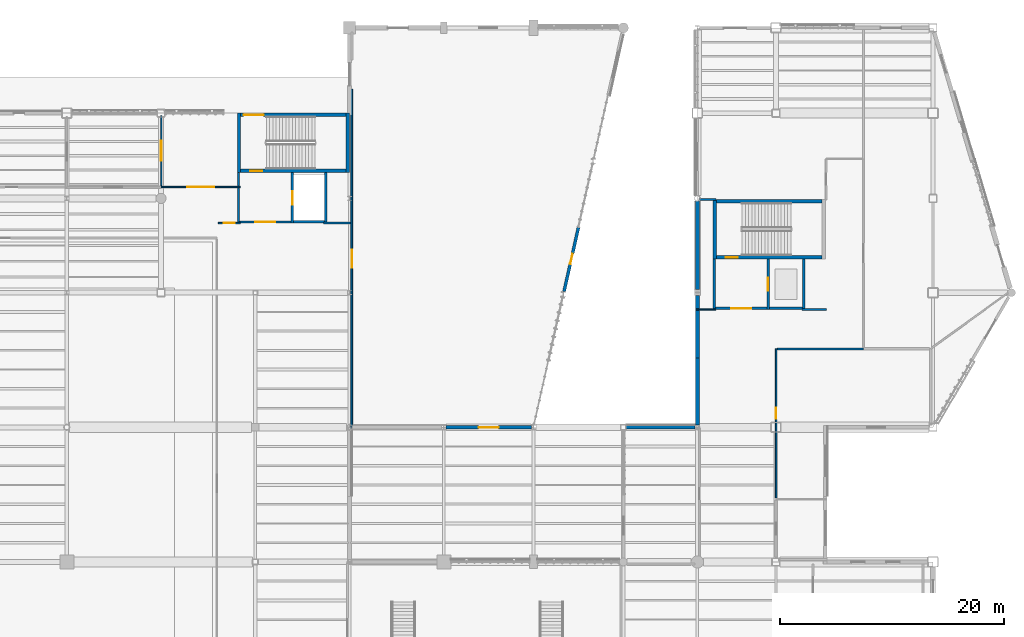
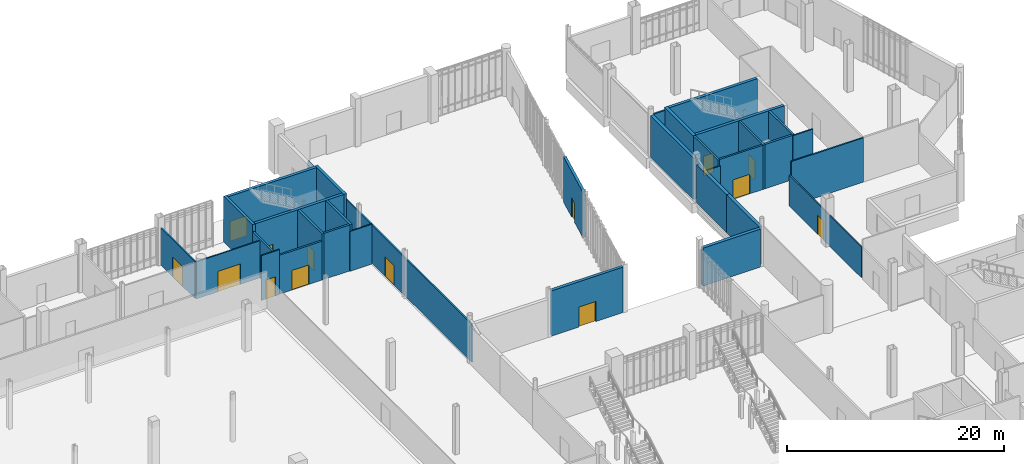
# One storey, part 90 of 111: 33 walls, 14 doors, 14 openings.
"""IFC4 building model written with IfcOpenShell, lengths in metres."""

from ifc_helpers import new_model, si_unit, direction, frame, frame_2d, origin, place, context, subcontext, project, spatial, rectangle, extrude, material, layer, layer_set, type_object, element, fill, save


model = new_model("IFC4")

# Units and contexts
model_context = context("Model", 3, precision=1e-05, world=origin(), true_north=direction((0.0, 1.0)))
body_context = subcontext(model_context, "Body", "Model", "MODEL_VIEW")
ifc_project = project(units=[si_unit("LENGTHUNIT", "METRE"), si_unit("AREAUNIT", "SQUARE_METRE"), si_unit("VOLUMEUNIT", "CUBIC_METRE"), si_unit("PLANEANGLEUNIT", "RADIAN"), si_unit("MASSUNIT", "GRAM", prefix="KILO")], contexts=[model_context])

# Site, building, storey
site_placement = place(None, origin())
site = spatial("IfcSite", under=ifc_project, at=site_placement, CompositionType="ELEMENT")
building_placement = place(site_placement, origin())
building = spatial("IfcBuilding", under=site, at=building_placement, Name="Larkvane Passage Sports Hall", CompositionType="ELEMENT")
storey_placement = place(building_placement, origin())
storey = spatial("IfcBuildingStorey", under=building, at=storey_placement, Name="L00", CompositionType="ELEMENT", Elevation=0.0)

# Walls
ifc_material_1 = material(Name="Concrete C50/60", Category="concrete")
ifc_layer_1 = layer(ifc_material_1, 0.360107421875)
ifc_layer_set_1 = layer_set([ifc_layer_1], Name="Concrete C50/60")
wall_type_1 = type_object("IfcWallType", Name="WL-CORE-360", PredefinedType="SHEAR", material=ifc_layer_set_1)
for number, where, z_axis, x_axis, name in (
    (1, (83.75, 86.300048828125, 0.0), (0.0, 0.0, 1.0), (0.0, 1.0, 0.0), "Core shear wall WAL-CORE-C3-L00-W"),
    (2, (93.449951171875, 91.60009765625, 0.0), (0.0, 0.0, 1.0), (0.0, -1.0, 0.0), "Core shear wall WAL-CORE-C3-L00-E"),
):
    element("IfcWall", number, at=place(storey_placement, frame(where, z_axis=z_axis, x_axis=x_axis)), inside=storey, type_object=wall_type_1, Name=name, PredefinedType="SHEAR", context=body_context, shape_type="SweptSolid", body=[
        extrude(rectangle(XDim=5.300048828125, YDim=0.300048828125, at=frame_2d((2.64990234375, 0.0))), origin(), (0.0, 0.0, 1.0), 5.169921875),
    ])

# Wall, opening, door
wall_1_placement = place(storey_placement, frame((93.300048828125, 86.449951171875, 0.0), z_axis=(0.0, 0.0, 1.0), x_axis=(-1.0, 0.0, 0.0)))
wall_1 = element("IfcWall", 3, at=wall_1_placement, inside=storey, type_object=wall_type_1, Name="Core shear wall WAL-CORE-C3-L00-S", PredefinedType="SHEAR", context=body_context, shape_type="SweptSolid", body=[
    extrude(rectangle(XDim=9.400146484375, YDim=0.300048828125, at=frame_2d((4.7001953125, 0.0))), origin(), (0.0, 0.0, 1.0), 5.169921875),
])
opening_1_placement = place(wall_1_placement, frame((7.5, 0.0, 0.0)))
opening_1 = element("IfcOpeningElement", 4, at=opening_1_placement, cuts=wall_1, Name="Opening DF-01", PredefinedType="OPENING", context=body_context, shape_type="SweptSolid", body=[
    extrude(rectangle(XDim=1.050048828125, YDim=2.199951171875, at=frame_2d((0.52490234375, 1.10009765625))), frame((0.0, 0.159912109375, 0.0), z_axis=(0.0, -1.0, 0.0), x_axis=(1.0, 0.0, 0.0)), (0.0, 0.0, 1.0), 0.320068359375),
])
ifc_material_2 = material(Name="Steel S355JR smoke-sealed fire door", Category="steel")
door_type_1 = type_object("IfcDoorType", Name="DR-FIRE-1050", OperationType="NOTDEFINED", PredefinedType="DOOR", material=ifc_material_2)
door_1_placement = place(opening_1_placement, origin())
door_1 = element("IfcDoor", 5, at=door_1_placement, inside=storey, type_object=door_type_1, Name="Stair ST-03 L00 fire door", OperationType="SINGLE_SWING_LEFT", OverallHeight=2.199951171875, OverallWidth=1.050048828125, PredefinedType="DOOR", context=body_context, shape_type="SweptSolid", body=[
    extrude(rectangle(XDim=1.050048828125, YDim=2.199951171875, at=frame_2d((0.52490234375, 1.10009765625))), frame((0.0, 0.02490234375, 0.0), z_axis=(0.0, -1.0, 0.0), x_axis=(1.0, 0.0, 0.0)), (0.0, 0.0, 1.0), 0.050048828125),
])
fill(opening_1, door_1)

# Wall
wall_2_placement = place(storey_placement, frame((126.14990234375, 78.60009765625, 0.0), z_axis=(0.0, 0.0, 1.0), x_axis=(0.0, 1.0, 0.0)))
element("IfcWall", 6, at=wall_2_placement, inside=storey, type_object=wall_type_1, Name="Core shear wall WAL-CORE-C6-L00-W", PredefinedType="SHEAR", context=body_context, shape_type="SweptSolid", body=[
    extrude(rectangle(XDim=5.2998046875, YDim=0.300048828125, at=frame_2d((2.64990234375, 0.0))), origin(), (0.0, 0.0, 1.0), 4.97998046875),
])

# Wall, opening, door
wall_3_placement = place(storey_placement, frame((135.699951171875, 78.75, 0.0), z_axis=(0.0, 0.0, 1.0), x_axis=(-1.0, 0.0, 0.0)))
wall_3 = element("IfcWall", 7, at=wall_3_placement, inside=storey, type_object=wall_type_1, Name="Core shear wall WAL-CORE-C6-L00-S", PredefinedType="SHEAR", context=body_context, shape_type="SweptSolid", body=[
    extrude(rectangle(XDim=9.39990234375, YDim=0.300048828125, at=frame_2d((4.699951171875, 0.0))), origin(), (0.0, 0.0, 1.0), 4.97998046875),
])
opening_2_placement = place(wall_3_placement, frame((7.5, 0.0, 0.0)))
opening_2 = element("IfcOpeningElement", 8, at=opening_2_placement, cuts=wall_3, Name="Opening DF-01", PredefinedType="OPENING", context=body_context, shape_type="SweptSolid", body=[
    extrude(rectangle(XDim=1.050048828125, YDim=2.199951171875, at=frame_2d((0.52490234375, 1.10009765625))), frame((0.0, 0.159912109375, 0.0), z_axis=(0.0, -1.0, 0.0), x_axis=(1.0, 0.0, 0.0)), (0.0, 0.0, 1.0), 0.320068359375),
])
door_2_placement = place(opening_2_placement, origin())
door_2 = element("IfcDoor", 9, at=door_2_placement, inside=storey, type_object=door_type_1, Name="Stair ST-06 L00 fire door", OperationType="SINGLE_SWING_LEFT", OverallHeight=2.199951171875, OverallWidth=1.050048828125, PredefinedType="DOOR", context=body_context, shape_type="SweptSolid", body=[
    extrude(rectangle(XDim=1.050048828125, YDim=2.199951171875, at=frame_2d((0.52490234375, 1.10009765625))), frame((0.0, 0.02490234375, 0.0), z_axis=(0.0, -1.0, 0.0), x_axis=(1.0, 0.0, 0.0)), (0.0, 0.0, 1.0), 0.050048828125),
])
fill(opening_2, door_2)

# Wall
wall_4_placement = place(storey_placement, frame((126.300048828125, 83.75, 0.0), z_axis=(0.0, 0.0, 1.0), x_axis=(1.0, 0.0, 0.0)))
element("IfcWall", 10, at=wall_4_placement, inside=storey, type_object=wall_type_1, Name="Core shear wall WAL-CORE-C6-L00-N", PredefinedType="SHEAR", context=body_context, shape_type="SweptSolid", body=[
    extrude(rectangle(XDim=9.39990234375, YDim=0.300048828125, at=frame_2d((4.699951171875, 0.0))), origin(), (0.0, 0.0, 1.0), 4.97998046875),
])

# Wall, opening, door
ifc_layer_2 = layer(ifc_material_1, 0.360107421875)
ifc_layer_set_2 = layer_set([ifc_layer_2], Name="Concrete C50/60")
wall_type_2 = type_object("IfcWallType", Name="WL-CORE-EXT-360", PredefinedType="SHEAR", material=ifc_layer_set_2)
wall_5_placement = place(storey_placement, frame((83.89990234375, 91.449951171875, 0.0), z_axis=(0.0, 0.0, 1.0), x_axis=(1.0, 0.0, 0.0)))
wall_5 = element("IfcWall", 11, at=wall_5_placement, inside=storey, type_object=wall_type_2, Name="Core shear wall WAL-CORE-C3-L00-N", PredefinedType="SHEAR", context=body_context, shape_type="SweptSolid", body=[
    extrude(rectangle(XDim=9.400146484375, YDim=0.300048828125, at=frame_2d((4.7001953125, 0.0))), origin(), (0.0, 0.0, 1.0), 5.169921875),
])
opening_3_placement = place(wall_5_placement, frame((0.25, 0.0, 0.0)))
opening_3 = element("IfcOpeningElement", 12, at=opening_3_placement, cuts=wall_5, Name="Opening DE-03", PredefinedType="OPENING", context=body_context, shape_type="SweptSolid", body=[
    extrude(rectangle(XDim=1.800048828125, YDim=2.25, at=frame_2d((0.89990234375, 1.125))), frame((0.0, 0.159912109375, 0.0), z_axis=(0.0, -1.0, 0.0), x_axis=(1.0, 0.0, 0.0)), (0.0, 0.0, 1.0), 0.320068359375),
])
ifc_material_3 = material(Name="Galvanised steel S355JR fire exit leaf", Category="steel")
door_type_2 = type_object("IfcDoorType", Name="DR-EXIT-1800", OperationType="DOUBLE_DOOR_SINGLE_SWING", PredefinedType="DOOR", material=ifc_material_3)
door_3_placement = place(opening_3_placement, origin())
door_3 = element("IfcDoor", 13, at=door_3_placement, inside=storey, type_object=door_type_2, Name="Stair ST-03 L00 direct final exit door", OperationType="DOUBLE_DOOR_SINGLE_SWING", OverallHeight=2.25, OverallWidth=1.800048828125, PredefinedType="DOOR", context=body_context, shape_type="SweptSolid", body=[
    extrude(rectangle(XDim=1.800048828125, YDim=2.25, at=frame_2d((0.89990234375, 1.125))), frame((0.0, 0.02490234375, 0.0), z_axis=(0.0, -1.0, 0.0), x_axis=(1.0, 0.0, 0.0)), (0.0, 0.0, 1.0), 0.050048828125),
])
fill(opening_3, door_3)

ifc_material_4 = material(Name="Concrete C40/50", Category="concrete")
ifc_layer_3 = layer(ifc_material_4, 0.27490234375)
ifc_layer_set_3 = layer_set([ifc_layer_3], Name="Concrete C40/50")
wall_type_3 = type_object("IfcWallType", Name="WL-EXT-275", PredefinedType="SOLIDWALL", material=ifc_layer_set_3)
wall_6_placement = place(storey_placement, frame((114.02880859375, 81.52880859375, 0.0), z_axis=(0.0, 0.0, 1.0), x_axis=(-0.219236031384, -0.975671851876, 0.0)))
wall_6 = element("IfcWall", 14, at=wall_6_placement, inside=storey, type_object=wall_type_3, Name="Exterior wall WAL-EXT-L00-025", PredefinedType="SOLIDWALL", context=body_context, shape_type="SweptSolid", body=[
    extrude(rectangle(XDim=5.974365234375, YDim=0.27490234375, at=frame_2d((2.9873046875, 0.0))), origin(), (0.0, 0.0, 1.0), 5.10009765625),
])
opening_4_placement = place(wall_6_placement, frame((2.511962890625, 0.0, 0.0)))
opening_4 = element("IfcOpeningElement", 15, at=opening_4_placement, cuts=wall_6, Name="Opening DE-08", PredefinedType="OPENING", context=body_context, shape_type="SweptSolid", body=[
    extrude(rectangle(XDim=0.949951171875, YDim=2.14990234375, at=frame_2d((0.47509765625, 1.074951171875))), frame((0.0, 0.1474609375, 0.0), z_axis=(0.0, -1.0, 0.0), x_axis=(1.0, 0.0, 0.0)), (0.0, 0.0, 1.0), 0.294921875),
])
door_type_3 = type_object("IfcDoorType", Name="DR-FIRE-950", OperationType="NOTDEFINED", PredefinedType="DOOR", material=ifc_material_3)
door_4_placement = place(opening_4_placement, origin())
door_4 = element("IfcDoor", 16, at=door_4_placement, inside=storey, type_object=door_type_3, Name="Exterior door L00-014", OperationType="SINGLE_SWING_LEFT", OverallHeight=2.14990234375, OverallWidth=0.949951171875, PredefinedType="DOOR", context=body_context, shape_type="SweptSolid", body=[
    extrude(rectangle(XDim=0.949951171875, YDim=2.14990234375, at=frame_2d((0.47509765625, 1.074951171875))), frame((0.0, 0.02490234375, 0.0), z_axis=(0.0, -1.0, 0.0), x_axis=(1.0, 0.0, 0.0)), (0.0, 0.0, 1.0), 0.050048828125),
])
fill(opening_4, door_4)

ifc_material_5 = material(Name="Precast concrete C45/55", Category="concrete")
ifc_layer_4 = layer(ifc_material_5, 0.31005859375)
ifc_layer_set_4 = layer_set([ifc_layer_4], Name="Precast concrete C45/55")
wall_type_4 = type_object("IfcWallType", Name="WL-EXT-310", PredefinedType="SOLIDWALL", material=ifc_layer_set_4)
wall_7_placement = place(storey_placement, frame((109.79541015625, 63.60009765625, 0.0), z_axis=(0.0, 0.0, 1.0), x_axis=(-1.0, 0.0, 0.0)))
wall_7 = element("IfcWall", 17, at=wall_7_placement, inside=storey, type_object=wall_type_4, Name="Exterior wall WAL-EXT-L00-026", PredefinedType="SOLIDWALL", context=body_context, shape_type="SweptSolid", body=[
    extrude(rectangle(XDim=7.596923828125, YDim=0.31005859375, at=frame_2d((3.79833984375, 0.0))), origin(), (0.0, 0.0, 1.0), 5.10009765625),
])
opening_5_placement = place(wall_7_placement, frame((2.89892578125, 0.0, 0.0)))
opening_5 = element("IfcOpeningElement", 18, at=opening_5_placement, cuts=wall_7, Name="Opening DE-03", PredefinedType="OPENING", context=body_context, shape_type="SweptSolid", body=[
    extrude(rectangle(XDim=1.800048828125, YDim=2.25, at=frame_2d((0.89990234375, 1.125))), frame((0.0, 0.1650390625, 0.0), z_axis=(0.0, -1.0, 0.0), x_axis=(1.0, 0.0, 0.0)), (0.0, 0.0, 1.0), 0.330078125),
])
door_5_placement = place(opening_5_placement, origin())
door_5 = element("IfcDoor", 19, at=door_5_placement, inside=storey, type_object=door_type_2, Name="Exterior door L00-015", OperationType="DOUBLE_DOOR_SINGLE_SWING", OverallHeight=2.25, OverallWidth=1.800048828125, PredefinedType="DOOR", context=body_context, shape_type="SweptSolid", body=[
    extrude(rectangle(XDim=1.800048828125, YDim=2.25, at=frame_2d((0.89990234375, 1.125))), frame((0.0, 0.02490234375, 0.0), z_axis=(0.0, -1.0, 0.0), x_axis=(1.0, 0.0, 0.0)), (0.0, 0.0, 1.0), 0.050048828125),
])
fill(opening_5, door_5)

# Walls
ifc_layer_5 = layer(ifc_material_5, 0.344970703125)
ifc_layer_set_5 = layer_set([ifc_layer_5], Name="Precast concrete C45/55")
wall_type_5 = type_object("IfcWallType", Name="WL-EXT-345", PredefinedType="SOLIDWALL", material=ifc_layer_set_5)
wall_8_placement = place(storey_placement, frame((118.24609375, 63.60009765625, 0.0), z_axis=(0.0, 0.0, 1.0), x_axis=(1.0, 0.0, 0.0)))
element("IfcWall", 20, at=wall_8_placement, inside=storey, type_object=wall_type_5, Name="Exterior wall WAL-EXT-L00-032", PredefinedType="SOLIDWALL", context=body_context, shape_type="SweptSolid", body=[
    extrude(rectangle(XDim=6.15478515625, YDim=0.344970703125, at=frame_2d((3.077392578125, 0.0))), origin(), (0.0, 0.0, 1.0), 4.26806640625),
])
wall_9_placement = place(storey_placement, frame((124.60009765625, 63.79931640625, 0.0), z_axis=(0.0, 0.0, 1.0), x_axis=(0.0, 1.0, 0.0)))
element("IfcWall", 21, at=wall_9_placement, inside=storey, type_object=wall_type_5, Name="Exterior wall WAL-EXT-L00-033", PredefinedType="SOLIDWALL", context=body_context, shape_type="SweptSolid", body=[
    extrude(rectangle(XDim=5.96630859375, YDim=0.344970703125, at=frame_2d((2.983154296875, 0.0))), origin(), (0.0, 0.0, 1.0), 4.27587890625),
])
wall_10_placement = place(storey_placement, frame((124.60009765625, 69.434326171875, 0.0), z_axis=(0.0, 0.0, 1.0), x_axis=(0.0, 1.0, 0.0)))
element("IfcWall", 22, at=wall_10_placement, inside=storey, type_object=wall_type_5, Name="Exterior wall WAL-EXT-L00-034", PredefinedType="SOLIDWALL", context=body_context, shape_type="SweptSolid", body=[
    extrude(rectangle(XDim=5.894775390625, YDim=0.344970703125, at=frame_2d((2.947265625, 0.0))), origin(), (0.0, 0.0, 1.0), 4.27587890625),
])
wall_11_placement = place(storey_placement, frame((124.60009765625, 75.87109375, 0.0), z_axis=(0.0, 0.0, 1.0), x_axis=(0.0, 1.0, 0.0)))
element("IfcWall", 23, at=wall_11_placement, inside=storey, type_object=wall_type_5, Name="Exterior wall WAL-EXT-L00-035", PredefinedType="SOLIDWALL", context=body_context, shape_type="SweptSolid", body=[
    extrude(rectangle(XDim=7.87890625, YDim=0.344970703125, at=frame_2d((3.939453125, 0.0))), origin(), (0.0, 0.0, 1.0), 4.674072265625),
])

# Wall, opening, door
ifc_layer_6 = layer(ifc_material_4, 0.199951171875)
ifc_layer_set_6 = layer_set([ifc_layer_6], Name="Concrete C40/50")
wall_type_6 = type_object("IfcWallType", Name="WL-LOBBY-200", PredefinedType="SOLIDWALL", material=ifc_layer_set_6)
wall_12_placement = place(storey_placement, frame((83.800048828125, 81.89990234375, 0.0), z_axis=(0.0, 0.0, 1.0), x_axis=(1.0, 0.0, 0.0)))
wall_12 = element("IfcWall", 24, at=wall_12_placement, inside=storey, type_object=wall_type_6, Name="Protected stair lobby wall C3 L00", PredefinedType="SOLIDWALL", context=body_context, shape_type="SweptSolid", body=[
    extrude(rectangle(XDim=4.599853515625, YDim=0.199951171875, at=frame_2d((2.2998046875, 0.0))), origin(), (0.0, 0.0, 1.0), 4.3701171875),
])
opening_6_placement = place(wall_12_placement, frame((1.39990234375, 0.0, 0.0)))
opening_6 = element("IfcOpeningElement", 25, at=opening_6_placement, cuts=wall_12, Name="Opening DF-02", PredefinedType="OPENING", context=body_context, shape_type="SweptSolid", body=[
    extrude(rectangle(XDim=1.800048828125, YDim=2.199951171875, at=frame_2d((0.89990234375, 1.10009765625))), frame((0.0, 0.10986328125, 0.0), z_axis=(0.0, -1.0, 0.0), x_axis=(1.0, 0.0, 0.0)), (0.0, 0.0, 1.0), 0.219970703125),
])
ifc_material_6 = material(Name="Steel S355JR double smoke-sealed fire door", Category="steel")
door_type_4 = type_object("IfcDoorType", Name="DR-FIRE-1800", OperationType="DOUBLE_DOOR_SINGLE_SWING", PredefinedType="DOOR", material=ifc_material_6)
door_6_placement = place(opening_6_placement, origin())
door_6 = element("IfcDoor", 26, at=door_6_placement, inside=storey, type_object=door_type_4, Name="Lobby smoke door C3 L00", OperationType="DOUBLE_DOOR_SINGLE_SWING", OverallHeight=2.199951171875, OverallWidth=1.800048828125, PredefinedType="DOOR", context=body_context, shape_type="SweptSolid", body=[
    extrude(rectangle(XDim=1.800048828125, YDim=2.199951171875, at=frame_2d((0.89990234375, 1.10009765625))), frame((0.0, 0.02490234375, 0.0), z_axis=(0.0, -1.0, 0.0), x_axis=(1.0, 0.0, 0.0)), (0.0, 0.0, 1.0), 0.050048828125),
])
fill(opening_6, door_6)

# Wall
wall_13_placement = place(storey_placement, frame((83.699951171875, 81.800048828125, 0.0), z_axis=(0.0, 0.0, 1.0), x_axis=(0.0, 1.0, 0.0)))
element("IfcWall", 27, at=wall_13_placement, inside=storey, type_object=wall_type_6, Name="Lobby side wall C3 L00", PredefinedType="SOLIDWALL", context=body_context, shape_type="SweptSolid", body=[
    extrude(rectangle(XDim=4.5, YDim=0.199951171875, at=frame_2d((2.25, 0.0))), origin(), (0.0, 0.0, 1.0), 4.3701171875),
])

# Wall, opening, door
wall_14_placement = place(storey_placement, frame((126.199951171875, 74.199951171875, 0.0), z_axis=(0.0, 0.0, 1.0), x_axis=(1.0, 0.0, 0.0)))
wall_14 = element("IfcWall", 28, at=wall_14_placement, inside=storey, type_object=wall_type_6, Name="Protected stair lobby wall C6 L00", PredefinedType="SOLIDWALL", context=body_context, shape_type="SweptSolid", body=[
    extrude(rectangle(XDim=4.60009765625, YDim=0.199951171875, at=frame_2d((2.300048828125, 0.0))), origin(), (0.0, 0.0, 1.0), 4.97998046875),
])
opening_7_placement = place(wall_14_placement, frame((1.39990234375, 0.0, 0.0)))
opening_7 = element("IfcOpeningElement", 29, at=opening_7_placement, cuts=wall_14, Name="Opening DF-02", PredefinedType="OPENING", context=body_context, shape_type="SweptSolid", body=[
    extrude(rectangle(XDim=1.800048828125, YDim=2.199951171875, at=frame_2d((0.89990234375, 1.10009765625))), frame((0.0, 0.10986328125, 0.0), z_axis=(0.0, -1.0, 0.0), x_axis=(1.0, 0.0, 0.0)), (0.0, 0.0, 1.0), 0.219970703125),
])
door_7_placement = place(opening_7_placement, origin())
door_7 = element("IfcDoor", 30, at=door_7_placement, inside=storey, type_object=door_type_4, Name="Lobby smoke door C6 L00", OperationType="DOUBLE_DOOR_SINGLE_SWING", OverallHeight=2.199951171875, OverallWidth=1.800048828125, PredefinedType="DOOR", context=body_context, shape_type="SweptSolid", body=[
    extrude(rectangle(XDim=1.800048828125, YDim=2.199951171875, at=frame_2d((0.89990234375, 1.10009765625))), frame((0.0, 0.02490234375, 0.0), z_axis=(0.0, -1.0, 0.0), x_axis=(1.0, 0.0, 0.0)), (0.0, 0.0, 1.0), 0.050048828125),
])
fill(opening_7, door_7)

# Wall
wall_15_placement = place(storey_placement, frame((126.10009765625, 74.10009765625, 0.0), z_axis=(0.0, 0.0, 1.0), x_axis=(0.0, 1.0, 0.0)))
element("IfcWall", 31, at=wall_15_placement, inside=storey, type_object=wall_type_6, Name="Lobby side wall C6 L00", PredefinedType="SOLIDWALL", context=body_context, shape_type="SweptSolid", body=[
    extrude(rectangle(XDim=4.5, YDim=0.199951171875, at=frame_2d((2.25, 0.0))), origin(), (0.0, 0.0, 1.0), 4.97998046875),
])

# Wall, opening, door
ifc_material_7 = material(Name="Gypsum twin-stud fire-rated partition")
ifc_layer_7 = layer(ifc_material_7, 0.125)
ifc_layer_set_7 = layer_set([ifc_layer_7], Name="Gypsum twin-stud fire-rated partition")
wall_type_7 = type_object("IfcWallType", Name="WL-PART-125", PredefinedType="PARTITIONING", material=ifc_layer_set_7)
wall_16_placement = place(storey_placement, frame((83.860107421875, 85.02001953125, 0.0), z_axis=(0.0, 0.0, 1.0), x_axis=(-1.0, 0.0, 0.0)))
wall_16 = element("IfcWall", 32, at=wall_16_placement, inside=storey, type_object=wall_type_7, Name="Interior partition WAL-PART-L00-0060", PredefinedType="PARTITIONING", context=body_context, shape_type="SweptSolid", body=[
    extrude(rectangle(XDim=7.0400390625, YDim=0.125, at=frame_2d((3.52001953125, 0.0))), origin(), (0.0, 0.0, 1.0), 4.169921875),
])
opening_8_placement = place(wall_16_placement, frame((2.320068359375, 0.0, 0.0)))
opening_8 = element("IfcOpeningElement", 33, at=opening_8_placement, cuts=wall_16, Name="Opening FD-01", PredefinedType="OPENING", context=body_context, shape_type="SweptSolid", body=[
    extrude(rectangle(XDim=2.39990234375, YDim=2.300048828125, at=frame_2d((1.199951171875, 1.14990234375))), frame((0.0, 0.072509765625, 0.0), z_axis=(0.0, -1.0, 0.0), x_axis=(1.0, 0.0, 0.0)), (0.0, 0.0, 1.0), 0.14501953125),
])
ifc_material_8 = material(Name="Bi-fold steel S355JR equipment store door", Category="steel")
door_type_5 = type_object("IfcDoorType", Name="DR-FOLD-2400", OperationType="FOLDING_TO_LEFT", PredefinedType="DOOR", material=ifc_material_8)
door_8_placement = place(opening_8_placement, origin())
door_8 = element("IfcDoor", 34, at=door_8_placement, inside=storey, type_object=door_type_5, Name="Interior door L00-0032", OperationType="FOLDING_TO_LEFT", OverallHeight=2.300048828125, OverallWidth=2.39990234375, PredefinedType="DOOR", context=body_context, shape_type="SweptSolid", body=[
    extrude(rectangle(XDim=2.39990234375, YDim=2.300048828125, at=frame_2d((1.199951171875, 1.14990234375))), frame((0.0, 0.02490234375, 0.0), z_axis=(0.0, -1.0, 0.0), x_axis=(1.0, 0.0, 0.0)), (0.0, 0.0, 1.0), 0.050048828125),
])
fill(opening_8, door_8)

wall_17_placement = place(storey_placement, frame((76.820068359375, 85.139892578125, 0.0), z_axis=(0.0, 0.0, 1.0), x_axis=(0.0, 1.0, 0.0)))
wall_17 = element("IfcWall", 35, at=wall_17_placement, inside=storey, type_object=wall_type_7, Name="Interior partition WAL-PART-L00-0061", PredefinedType="PARTITIONING", context=body_context, shape_type="SweptSolid", body=[
    extrude(rectangle(XDim=6.22802734375, YDim=0.125, at=frame_2d((3.114013671875, 0.0))), origin(), (0.0, 0.0, 1.0), 4.169921875),
])
opening_9_placement = place(wall_17_placement, frame((2.214111328125, 0.0, 0.0)))
opening_9 = element("IfcOpeningElement", 36, at=opening_9_placement, cuts=wall_17, Name="Opening DF-02", PredefinedType="OPENING", context=body_context, shape_type="SweptSolid", body=[
    extrude(rectangle(XDim=1.800048828125, YDim=2.199951171875, at=frame_2d((0.89990234375, 1.10009765625))), frame((0.0, 0.072509765625, 0.0), z_axis=(0.0, -1.0, 0.0), x_axis=(1.0, 0.0, 0.0)), (0.0, 0.0, 1.0), 0.14501953125),
])
door_9_placement = place(opening_9_placement, origin())
door_9 = element("IfcDoor", 37, at=door_9_placement, inside=storey, type_object=door_type_4, Name="Interior door L00-0040", OperationType="DOUBLE_DOOR_SINGLE_SWING", OverallHeight=2.199951171875, OverallWidth=1.800048828125, PredefinedType="DOOR", context=body_context, shape_type="SweptSolid", body=[
    extrude(rectangle(XDim=1.800048828125, YDim=2.199951171875, at=frame_2d((0.89990234375, 1.10009765625))), frame((0.0, 0.02490234375, 0.0), z_axis=(0.0, -1.0, 0.0), x_axis=(1.0, 0.0, 0.0)), (0.0, 0.0, 1.0), 0.050048828125),
])
fill(opening_9, door_9)

wall_18_placement = place(storey_placement, frame((131.6201171875, 57.320068359375, 0.0), z_axis=(0.0, 0.0, 1.0), x_axis=(0.0, 1.0, 0.0)))
wall_18 = element("IfcWall", 38, at=wall_18_placement, inside=storey, type_object=wall_type_7, Name="Interior partition WAL-PART-L00-0081", PredefinedType="PARTITIONING", context=body_context, shape_type="SweptSolid", body=[
    extrude(rectangle(XDim=13.260009765625, YDim=0.125, at=frame_2d((6.6298828125, 0.0))), origin(), (0.0, 0.0, 1.0), 3.469970703125),
])
opening_10_placement = place(wall_18_placement, frame((7.01904296875, 0.0, 0.0)))
opening_10 = element("IfcOpeningElement", 39, at=opening_10_placement, cuts=wall_18, Name="Opening DI-01", PredefinedType="OPENING", context=body_context, shape_type="SweptSolid", body=[
    extrude(rectangle(XDim=1.0, YDim=2.14990234375, at=frame_2d((0.5, 1.074951171875))), frame((0.0, 0.072509765625, 0.0), z_axis=(0.0, -1.0, 0.0), x_axis=(1.0, 0.0, 0.0)), (0.0, 0.0, 1.0), 0.14501953125),
])
ifc_material_9 = material(Name="Solid-core hardwood acoustic door", Category="wood")
door_type_6 = type_object("IfcDoorType", Name="DR-INT-1000", OperationType="NOTDEFINED", PredefinedType="DOOR", material=ifc_material_9)
door_10_placement = place(opening_10_placement, origin())
door_10 = element("IfcDoor", 40, at=door_10_placement, inside=storey, type_object=door_type_6, Name="Interior door L00-0026", OperationType="SINGLE_SWING_RIGHT", OverallHeight=2.14990234375, OverallWidth=1.0, PredefinedType="DOOR", context=body_context, shape_type="SweptSolid", body=[
    extrude(rectangle(XDim=1.0, YDim=2.14990234375, at=frame_2d((0.5, 1.074951171875))), frame((0.0, 0.02490234375, 0.0), z_axis=(0.0, -1.0, 0.0), x_axis=(1.0, 0.0, 0.0)), (0.0, 0.0, 1.0), 0.050048828125),
])
fill(opening_10, door_10)

wall_19_placement = place(storey_placement, frame((81.919921875, 81.800048828125, 0.0), z_axis=(0.0, 0.0, 1.0), x_axis=(1.0, 0.0, 0.0)))
wall_19 = element("IfcWall", 41, at=wall_19_placement, inside=storey, type_object=wall_type_7, Name="Interior partition WAL-PART-L00-0101", PredefinedType="PARTITIONING", context=body_context, shape_type="SweptSolid", body=[
    extrude(rectangle(XDim=1.940185546875, YDim=0.125, at=frame_2d((0.97021484375, 0.0))), origin(), (0.0, 0.0, 1.0), 5.050048828125),
])
opening_11_placement = place(wall_19_placement, frame((0.469970703125, 0.0, 0.0)))
opening_11 = element("IfcOpeningElement", 42, at=opening_11_placement, cuts=wall_19, Name="Opening DI-01", PredefinedType="OPENING", context=body_context, shape_type="SweptSolid", body=[
    extrude(rectangle(XDim=1.0, YDim=2.14990234375, at=frame_2d((0.5, 1.074951171875))), frame((0.0, 0.072509765625, 0.0), z_axis=(0.0, -1.0, 0.0), x_axis=(1.0, 0.0, 0.0)), (0.0, 0.0, 1.0), 0.14501953125),
])
door_11_placement = place(opening_11_placement, origin())
door_11 = element("IfcDoor", 43, at=door_11_placement, inside=storey, type_object=door_type_6, Name="Interior door L00-0042", OperationType="SINGLE_SWING_LEFT", OverallHeight=2.14990234375, OverallWidth=1.0, PredefinedType="DOOR", context=body_context, shape_type="SweptSolid", body=[
    extrude(rectangle(XDim=1.0, YDim=2.14990234375, at=frame_2d((0.5, 1.074951171875))), frame((0.0, 0.02490234375, 0.0), z_axis=(0.0, -1.0, 0.0), x_axis=(1.0, 0.0, 0.0)), (0.0, 0.0, 1.0), 0.050048828125),
])
fill(opening_11, door_11)

# Wall
wall_20_placement = place(storey_placement, frame((124.448486328125, 74.10009765625, 0.0), z_axis=(0.0, 0.0, 1.0), x_axis=(1.0, 0.0, 0.0)))
element("IfcWall", 44, at=wall_20_placement, inside=storey, type_object=wall_type_7, Name="Interior partition WAL-PART-L00-0105", PredefinedType="PARTITIONING", context=body_context, shape_type="SweptSolid", body=[
    extrude(rectangle(XDim=1.8115234375, YDim=0.125, at=frame_2d((0.90576171875, 0.0))), origin(), (0.0, 0.0, 1.0), 4.278076171875),
])

# Wall, opening, door
ifc_material_10 = material(Name="Gypsum acoustic partition")
ifc_layer_8 = layer(ifc_material_10, 0.14990234375)
ifc_layer_set_8 = layer_set([ifc_layer_8], Name="Gypsum acoustic partition")
wall_type_8 = type_object("IfcWallType", Name="WL-PART-150", PredefinedType="PARTITIONING", material=ifc_layer_set_8)
wall_21_placement = place(storey_placement, frame((93.800048828125, 63.516845703125, 0.0), z_axis=(0.0, 0.0, 1.0), x_axis=(0.0, 1.0, 0.0)))
wall_21 = element("IfcWall", 45, at=wall_21_placement, inside=storey, type_object=wall_type_8, Name="Interior partition WAL-PART-L00-0070", PredefinedType="PARTITIONING", context=body_context, shape_type="SweptSolid", body=[
    extrude(rectangle(XDim=30.232666015625, YDim=0.14990234375, at=frame_2d((15.1162109375, 0.0))), origin(), (0.0, 0.0, 1.0), 4.27001953125),
])
opening_12_placement = place(wall_21_placement, frame((14.31591796875, 0.0, 0.0)))
opening_12 = element("IfcOpeningElement", 46, at=opening_12_placement, cuts=wall_21, Name="Opening DI-03", PredefinedType="OPENING", context=body_context, shape_type="SweptSolid", body=[
    extrude(rectangle(XDim=1.60009765625, YDim=2.199951171875, at=frame_2d((0.800048828125, 1.10009765625))), frame((0.0, 0.0849609375, 0.0), z_axis=(0.0, -1.0, 0.0), x_axis=(1.0, 0.0, 0.0)), (0.0, 0.0, 1.0), 0.169921875),
])
ifc_material_11 = material(Name="Glazed aluminium studio double door", Category="aluminium")
door_type_7 = type_object("IfcDoorType", Name="DR-INT-1600", OperationType="DOUBLE_DOOR_SINGLE_SWING", PredefinedType="DOOR", material=ifc_material_11)
door_12_placement = place(opening_12_placement, origin())
door_12 = element("IfcDoor", 47, at=door_12_placement, inside=storey, type_object=door_type_7, Name="Interior door L00-0019", OperationType="DOUBLE_DOOR_SINGLE_SWING", OverallHeight=2.199951171875, OverallWidth=1.60009765625, PredefinedType="DOOR", context=body_context, shape_type="SweptSolid", body=[
    extrude(rectangle(XDim=1.60009765625, YDim=2.199951171875, at=frame_2d((0.800048828125, 1.10009765625))), frame((0.0, 0.02490234375, 0.0), z_axis=(0.0, -1.0, 0.0), x_axis=(1.0, 0.0, 0.0)), (0.0, 0.0, 1.0), 0.050048828125),
])
fill(opening_12, door_12)

# Walls
wall_22_placement = place(storey_placement, frame((131.739990234375, 70.580078125, 0.0), z_axis=(0.0, 0.0, 1.0), x_axis=(1.0, 0.0, 0.0)))
element("IfcWall", 48, at=wall_22_placement, inside=storey, type_object=wall_type_8, Name="Interior partition WAL-PART-L00-0082", PredefinedType="PARTITIONING", context=body_context, shape_type="SweptSolid", body=[
    extrude(rectangle(XDim=7.659912109375, YDim=0.14990234375, at=frame_2d((3.830078125, 0.0))), origin(), (0.0, 0.0, 1.0), 4.97998046875),
])
wall_23_placement = place(storey_placement, frame((126.260009765625, 83.89990234375, 0.0), z_axis=(0.0, 0.0, 1.0), x_axis=(-1.0, 0.0, 0.0)))
element("IfcWall", 49, at=wall_23_placement, inside=storey, type_object=wall_type_8, Name="Interior partition WAL-PART-L00-0090", PredefinedType="PARTITIONING", context=body_context, shape_type="SweptSolid", body=[
    extrude(rectangle(XDim=1.4970703125, YDim=0.14990234375, at=frame_2d((0.74853515625, 0.0))), origin(), (0.0, 0.0, 1.0), 4.676025390625),
])
wall_24_placement = place(storey_placement, frame((91.300048828125, 81.800048828125, 0.0), z_axis=(0.0, 0.0, 1.0), x_axis=(1.0, 0.0, 0.0)))
element("IfcWall", 50, at=wall_24_placement, inside=storey, type_object=wall_type_8, Name="Interior partition WAL-PART-L00-0098", PredefinedType="PARTITIONING", context=body_context, shape_type="SweptSolid", body=[
    extrude(rectangle(XDim=2.3798828125, YDim=0.14990234375, at=frame_2d((1.18994140625, 0.0))), origin(), (0.0, 0.0, 1.0), 4.469970703125),
])
wall_25_placement = place(storey_placement, frame((133.93994140625, 74.10009765625, 0.0), z_axis=(0.0, 0.0, 1.0), x_axis=(1.0, 0.0, 0.0)))
element("IfcWall", 51, at=wall_25_placement, inside=storey, type_object=wall_type_8, Name="Interior partition WAL-PART-L00-0106", PredefinedType="PARTITIONING", context=body_context, shape_type="SweptSolid", body=[
    extrude(rectangle(XDim=2.16015625, YDim=0.14990234375, at=frame_2d((1.080078125, 0.0))), origin(), (0.0, 0.0, 1.0), 4.97998046875),
])

# Wall, opening, door
ifc_layer_9 = layer(ifc_material_4, 0.219970703125)
ifc_layer_set_9 = layer_set([ifc_layer_9], Name="Concrete C40/50")
wall_type_9 = type_object("IfcWallType", Name="WL-SHAFT-220", PredefinedType="SOLIDWALL", material=ifc_layer_set_9)
wall_26_placement = place(storey_placement, frame((88.510009765625, 81.800048828125, 0.0), z_axis=(0.0, 0.0, 1.0), x_axis=(0.0, 1.0, 0.0)))
wall_26 = element("IfcWall", 52, at=wall_26_placement, inside=storey, type_object=wall_type_9, Name="Lift shaft front wall L-04 L00", PredefinedType="SOLIDWALL", context=body_context, shape_type="SweptSolid", body=[
    extrude(rectangle(XDim=4.5, YDim=0.219970703125, at=frame_2d((2.25, 0.0))), origin(), (0.0, 0.0, 1.0), 5.169921875),
])
opening_13_placement = place(wall_26_placement, frame((1.64990234375, 0.0, 0.0)))
opening_13 = element("IfcOpeningElement", 53, at=opening_13_placement, cuts=wall_26, Name="Opening LD-01", PredefinedType="OPENING", context=body_context, shape_type="SweptSolid", body=[
    extrude(rectangle(XDim=1.199951171875, YDim=2.199951171875, at=frame_2d((0.60009765625, 1.10009765625))), frame((0.0, 0.119873046875, 0.0), z_axis=(0.0, -1.0, 0.0), x_axis=(1.0, 0.0, 0.0)), (0.0, 0.0, 1.0), 0.239990234375),
])
ifc_material_12 = material(Name="Stainless steel S355JR lift landing door", Category="steel")
door_type_8 = type_object("IfcDoorType", Name="DR-LIFT-1200", OperationType="SLIDING_TO_LEFT", PredefinedType="DOOR", material=ifc_material_12)
door_13_placement = place(opening_13_placement, origin())
door_13 = element("IfcDoor", 54, at=door_13_placement, inside=storey, type_object=door_type_8, Name="Lift landing door L-04 L00", OperationType="SLIDING_TO_LEFT", OverallHeight=2.199951171875, OverallWidth=1.199951171875, PredefinedType="DOOR", context=body_context, shape_type="SweptSolid", body=[
    extrude(rectangle(XDim=1.199951171875, YDim=2.199951171875, at=frame_2d((0.60009765625, 1.10009765625))), frame((0.0, 0.02490234375, 0.0), z_axis=(0.0, -1.0, 0.0), x_axis=(1.0, 0.0, 0.0)), (0.0, 0.0, 1.0), 0.050048828125),
])
fill(opening_13, door_13)

# Walls
wall_27_placement = place(storey_placement, frame((91.489990234375, 81.800048828125, 0.0), z_axis=(0.0, 0.0, 1.0), x_axis=(0.0, 1.0, 0.0)))
element("IfcWall", 55, at=wall_27_placement, inside=storey, type_object=wall_type_9, Name="Lift shaft rear wall L-04 L00", PredefinedType="SOLIDWALL", context=body_context, shape_type="SweptSolid", body=[
    extrude(rectangle(XDim=4.5, YDim=0.219970703125, at=frame_2d((2.25, 0.0))), origin(), (0.0, 0.0, 1.0), 5.169921875),
])
wall_28_placement = place(storey_placement, frame((88.6201171875, 81.909912109375, 0.0), z_axis=(0.0, 0.0, 1.0), x_axis=(1.0, 0.0, 0.0)))
element("IfcWall", 56, at=wall_28_placement, inside=storey, type_object=wall_type_9, Name="Lift shaft end wall L-04 L00", PredefinedType="SOLIDWALL", context=body_context, shape_type="SweptSolid", body=[
    extrude(rectangle(XDim=2.759765625, YDim=0.219970703125, at=frame_2d((1.3798828125, 0.0))), origin(), (0.0, 0.0, 1.0), 5.169921875),
])

# Wall, opening, door
wall_29_placement = place(storey_placement, frame((130.909912109375, 74.10009765625, 0.0), z_axis=(0.0, 0.0, 1.0), x_axis=(0.0, 1.0, 0.0)))
wall_29 = element("IfcWall", 57, at=wall_29_placement, inside=storey, type_object=wall_type_9, Name="Lift shaft front wall L-06 L00", PredefinedType="SOLIDWALL", context=body_context, shape_type="SweptSolid", body=[
    extrude(rectangle(XDim=4.5, YDim=0.219970703125, at=frame_2d((2.25, 0.0))), origin(), (0.0, 0.0, 1.0), 4.97998046875),
])
opening_14_placement = place(wall_29_placement, frame((1.64990234375, 0.0, 0.0)))
opening_14 = element("IfcOpeningElement", 58, at=opening_14_placement, cuts=wall_29, Name="Opening LD-01", PredefinedType="OPENING", context=body_context, shape_type="SweptSolid", body=[
    extrude(rectangle(XDim=1.199951171875, YDim=2.199951171875, at=frame_2d((0.60009765625, 1.10009765625))), frame((0.0, 0.119873046875, 0.0), z_axis=(0.0, -1.0, 0.0), x_axis=(1.0, 0.0, 0.0)), (0.0, 0.0, 1.0), 0.239990234375),
])
door_14_placement = place(opening_14_placement, origin())
door_14 = element("IfcDoor", 59, at=door_14_placement, inside=storey, type_object=door_type_8, Name="Lift landing door L-06 L00", OperationType="SLIDING_TO_LEFT", OverallHeight=2.199951171875, OverallWidth=1.199951171875, PredefinedType="DOOR", context=body_context, shape_type="SweptSolid", body=[
    extrude(rectangle(XDim=1.199951171875, YDim=2.199951171875, at=frame_2d((0.60009765625, 1.10009765625))), frame((0.0, 0.02490234375, 0.0), z_axis=(0.0, -1.0, 0.0), x_axis=(1.0, 0.0, 0.0)), (0.0, 0.0, 1.0), 0.050048828125),
])
fill(opening_14, door_14)

# Walls
wall_30_placement = place(storey_placement, frame((134.090087890625, 74.10009765625, 0.0), z_axis=(0.0, 0.0, 1.0), x_axis=(0.0, 1.0, 0.0)))
element("IfcWall", 60, at=wall_30_placement, inside=storey, type_object=wall_type_9, Name="Lift shaft rear wall L-06 L00", PredefinedType="SOLIDWALL", context=body_context, shape_type="SweptSolid", body=[
    extrude(rectangle(XDim=4.5, YDim=0.219970703125, at=frame_2d((2.25, 0.0))), origin(), (0.0, 0.0, 1.0), 4.97998046875),
])
wall_31_placement = place(storey_placement, frame((131.02001953125, 74.2099609375, 0.0), z_axis=(0.0, 0.0, 1.0), x_axis=(1.0, 0.0, 0.0)))
element("IfcWall", 61, at=wall_31_placement, inside=storey, type_object=wall_type_9, Name="Lift shaft end wall L-06 L00", PredefinedType="SOLIDWALL", context=body_context, shape_type="SweptSolid", body=[
    extrude(rectangle(XDim=2.9599609375, YDim=0.219970703125, at=frame_2d((1.47998046875, 0.0))), origin(), (0.0, 0.0, 1.0), 4.97998046875),
])

save(model, "model.ifc")
